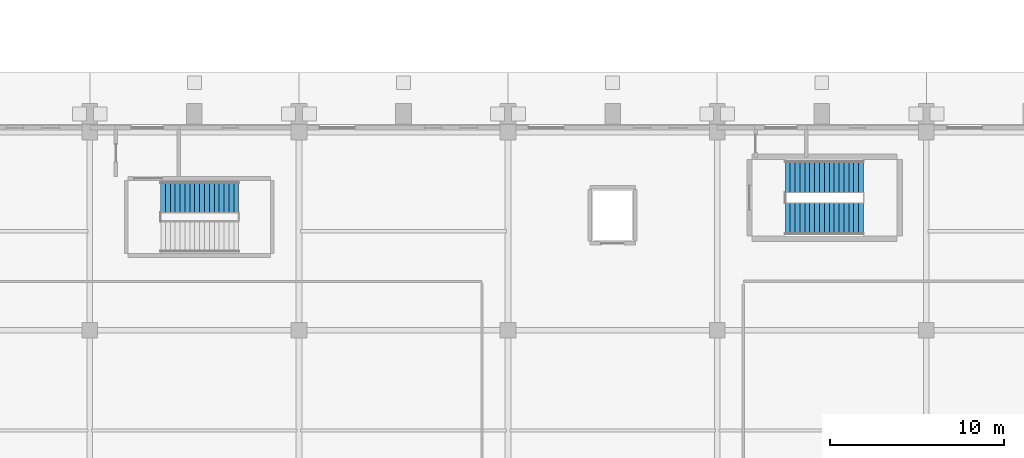
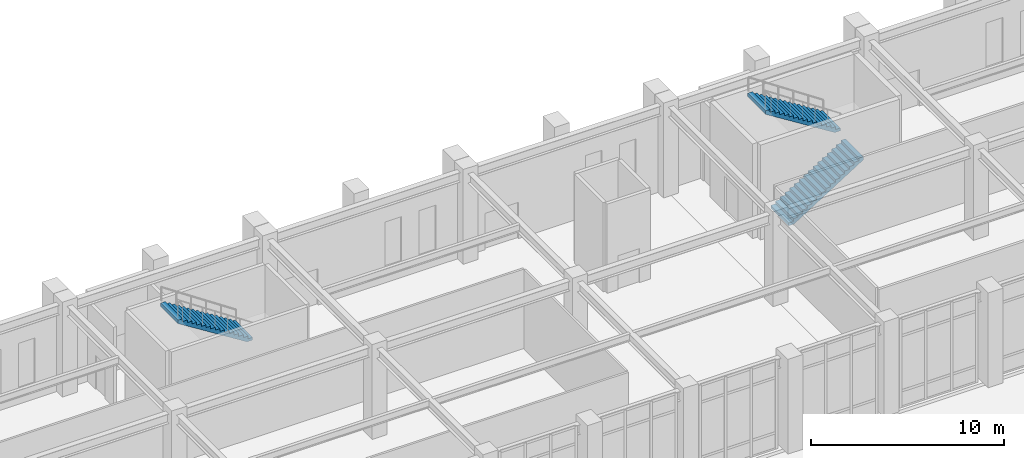
# One storey, part 125 of 143: 3 stair flights, 2 elements without a shape of their own.
"""IFC4 building model written with IfcOpenShell, lengths in metres."""

import ifcopenshell
import ifcopenshell.guid

model = None  # the IFC model being written
_history = None  # IfcOwnerHistory: only IFC2X3 demands one
_inside = {}  # id of a spatial element -> (the spatial element, [elements in it])
_under = {}  # id of a project, library or spatial element -> (it, [spatial elements below it])
_declared = {}  # id of a project -> (the project, [libraries it declares])
_typed = {}  # id of a type object -> (the type object, [elements of that type])
_made_of = {}  # id of a material, layer set ... -> (it, [elements and type objects made of it])


def new_model(schema):
    """Start an empty IFC model of exactly this schema.

    Asked for "IFC4X3", IfcOpenShell would pick the latest addendum, in which some entities
    have other attributes; the version numbers below select the first issue.
    IFC2X3 requires an IfcOwnerHistory on every rooted entity: one is made here for all.
    """
    global model, _history
    if schema == "IFC4X3":
        model = ifcopenshell.file(schema_version=(4, 3, 0, 0))
    else:
        model = ifcopenshell.file(schema=schema)
    _inside.clear()
    _under.clear()
    _declared.clear()
    _typed.clear()
    _made_of.clear()
    _history = None
    if model.schema == "IFC2X3":
        org = make("IfcOrganization", Name="unknown")
        user = make(
            "IfcPersonAndOrganization",
            ThePerson=make("IfcPerson", FamilyName="unknown"),
            TheOrganization=org,
        )
        app = make(
            "IfcApplication",
            ApplicationDeveloper=org,
            Version="unknown",
            ApplicationFullName="unknown",
            ApplicationIdentifier="unknown",
        )
        _history = make(
            "IfcOwnerHistory",
            OwningUser=user,
            OwningApplication=app,
            ChangeAction="ADDED",
            CreationDate=0,
        )
    return model


def make(cls, **values):
    """One entity of the class cls with the attributes given. An attribute that is None is left unset."""
    return model.create_entity(
        cls, **{name: value for name, value in values.items() if value is not None}
    )


def rooted(cls, **values):
    """An entity with a GlobalId (a new one), such as an element, a storey or a relation."""
    return make(cls, GlobalId=ifcopenshell.guid.new(), OwnerHistory=_history, **values)


def si_unit(unit_type, name, prefix=None):
    """IfcSIUnit, for example si_unit("LENGTHUNIT", "METRE", prefix="MILLI")."""
    return make("IfcSIUnit", UnitType=unit_type, Prefix=prefix, Name=name)


def derived_unit(unit_type, elements):
    """IfcDerivedUnit: a product of units, each with its exponent."""
    return make(
        "IfcDerivedUnit",
        Elements=[
            make("IfcDerivedUnitElement", Unit=unit, Exponent=power)
            for unit, power in elements
        ],
        UnitType=unit_type,
    )


def assignment(units):
    """IfcUnitAssignment: the units of a project."""
    return None if units is None else make("IfcUnitAssignment", Units=units)


def point(xyz):
    """IfcCartesianPoint."""
    return None if xyz is None else make("IfcCartesianPoint", Coordinates=xyz)


def direction(xyz):
    """IfcDirection."""
    return None if xyz is None else make("IfcDirection", DirectionRatios=xyz)


def frame(location, z_axis=None, x_axis=None):
    """IfcAxis2Placement3D, a coordinate frame: its origin and axes. An axis left out is left unset."""
    return make(
        "IfcAxis2Placement3D",
        Location=point(location),
        Axis=direction(z_axis),
        RefDirection=direction(x_axis),
    )


def origin():
    """The frame at (0, 0, 0) with its axes left unset."""
    return frame((0.0, 0.0, 0.0))


def place(relative_to, where):
    """IfcLocalPlacement: puts the frame where relative to a parent placement (None: the world)."""
    return make(
        "IfcLocalPlacement", PlacementRelTo=relative_to, RelativePlacement=where
    )


def context(
    kind, dimensions, precision=None, world=None, true_north=None, identifier=None
):
    """IfcGeometricRepresentationContext, for example the 3D "Model" context."""
    return make(
        "IfcGeometricRepresentationContext",
        ContextIdentifier=identifier,
        ContextType=kind,
        CoordinateSpaceDimension=dimensions,
        Precision=precision,
        WorldCoordinateSystem=world,
        TrueNorth=true_north,
    )


def subcontext(parent, identifier, kind, view, scale=None):
    """IfcGeometricRepresentationSubContext, for example "Body" below "Model"."""
    return make(
        "IfcGeometricRepresentationSubContext",
        ContextIdentifier=identifier,
        ContextType=kind,
        ParentContext=parent,
        TargetScale=scale,
        TargetView=view,
    )


def project(units=None, contexts=None):
    """IfcProject with its units and contexts."""
    return rooted(
        "IfcProject",
        Name="project",
        RepresentationContexts=contexts,
        UnitsInContext=assignment(units),
    )


def spatial(cls, under=None, at=None, **own):
    """A site, building, storey or space (cls), placed at a placement, below another one or the project."""
    s = rooted(cls, ObjectPlacement=at, **own)
    if under is not None:
        _under.setdefault(under.id(), (under, []))[1].append(s)
    return s


def polyline(points):
    """IfcPolyline through the points."""
    return make("IfcPolyline", Points=[point(p) for p in points])


def outline(outer, holes=None, kind="AREA"):
    """IfcArbitraryClosedProfileDef: a profile drawn as a closed curve; with holes, ...WithVoids."""
    if holes is None:
        return make("IfcArbitraryClosedProfileDef", ProfileType=kind, OuterCurve=outer)
    return make(
        "IfcArbitraryProfileDefWithVoids",
        ProfileType=kind,
        OuterCurve=outer,
        InnerCurves=holes,
    )


def extrude(swept, where, along, depth):
    """IfcExtrudedAreaSolid: the profile swept, set in the frame where, extruded along a direction by depth."""
    return make(
        "IfcExtrudedAreaSolid",
        SweptArea=swept,
        Position=where,
        ExtrudedDirection=direction(along),
        Depth=depth,
    )


def shape(context_of_items, identifier, shape_type, items):
    """IfcShapeRepresentation: the items that make up one representation, for example the "Body"."""
    return make(
        "IfcShapeRepresentation",
        ContextOfItems=context_of_items,
        RepresentationIdentifier=identifier,
        RepresentationType=shape_type,
        Items=items,
    )


def material(Name=None, Category=None):
    """IfcMaterial."""
    return make("IfcMaterial", Name=Name, Category=Category)


def made_of(thing, what):
    """Note that an element or type object is made of a material, layer set ...; save() writes the relation."""
    if what is not None:
        _made_of.setdefault(what.id(), (what, []))[1].append(thing)
    return thing


def type_object(cls, material=None, **own):
    """A type object (cls), such as IfcWallType, which elements share."""
    return made_of(rooted(cls, **own), material)


def element(
    cls,
    number,
    at=None,
    inside=None,
    cuts=None,
    type_object=None,
    material=None,
    context=None,
    identifier="Body",
    shape_type=None,
    held_by="IfcProductDefinitionShape",
    body=None,
    shapes=None,
    **own,
):
    """One element of the class cls, such as IfcWall. Its Tag is "e" and its number.

    at: its placement. inside: the storey or other place that contains it. cuts: it is an
    opening in that element (IfcRelVoidsElement). A single representation is given by context,
    identifier, shape_type and body (its items); several are given by shapes. held_by: the class
    of the entity that holds the representations. save() writes the other relations.
    """
    e = rooted(cls, Tag="e%d" % number, ObjectPlacement=at, **own)
    if body is not None:
        shapes = [shape(context, identifier, shape_type, body)]
    if shapes is not None:
        e.Representation = make(held_by, Representations=shapes)
    if inside is not None:
        _inside.setdefault(inside.id(), (inside, []))[1].append(e)
    if cuts is not None:
        rooted(
            "IfcRelVoidsElement", RelatingBuildingElement=cuts, RelatedOpeningElement=e
        )
    if type_object is not None:
        _typed.setdefault(type_object.id(), (type_object, []))[1].append(e)
    return made_of(e, material)


def aggregate(whole, parts):
    """IfcRelAggregates: a whole, such as a stair, and the parts it consists of."""
    return rooted("IfcRelAggregates", RelatingObject=whole, RelatedObjects=parts)


def save(model, path):
    """Write the relations noted so far, then the file.

    IfcRelAggregates (storeys below a building ...), IfcRelContainedInSpatialStructure (elements
    in a storey), IfcRelDefinesByType, IfcRelAssociatesMaterial and IfcRelDeclares: one each for
    every whole, place, type object, material and project.
    """
    for whole, parts in _under.values():
        aggregate(whole, parts)
    for where, things in _inside.values():
        rooted(
            "IfcRelContainedInSpatialStructure",
            RelatedElements=things,
            RelatingStructure=where,
        )
    for kind, things in _typed.values():
        rooted("IfcRelDefinesByType", RelatedObjects=things, RelatingType=kind)
    for what, things in _made_of.values():
        rooted("IfcRelAssociatesMaterial", RelatedObjects=things, RelatingMaterial=what)
    for by, libraries in _declared.values():
        rooted("IfcRelDeclares", RelatingContext=by, RelatedDefinitions=libraries)
    model.write(path)


model = new_model("IFC4")

# Units and contexts
model_context = context("Model", 3, precision=1e-05, world=origin(), true_north=direction((0.0, 1.0)))
body_context = subcontext(model_context, "Body", "Model", "MODEL_VIEW")
ifc_project = project(units=[si_unit("LENGTHUNIT", "METRE"), si_unit("AREAUNIT", "SQUARE_METRE"), si_unit("VOLUMEUNIT", "CUBIC_METRE"), si_unit("PLANEANGLEUNIT", "RADIAN"), si_unit("MASSUNIT", "GRAM", prefix="KILO"), derived_unit("THERMALTRANSMITTANCEUNIT", [(si_unit("MASSUNIT", "GRAM", prefix="KILO"), 1), (si_unit("TIMEUNIT", "SECOND"), -3), (si_unit("THERMODYNAMICTEMPERATUREUNIT", "KELVIN"), -1)])], contexts=[model_context])

# Site, building, storey
site_placement = place(None, origin())
site = spatial("IfcSite", under=ifc_project, at=site_placement, CompositionType="ELEMENT")
building_placement = place(site_placement, origin())
building = spatial("IfcBuilding", under=site, at=building_placement, Name="Valcora Ridge Arena", CompositionType="ELEMENT")
storey_placement = place(building_placement, origin())
storey = spatial("IfcBuildingStorey", under=building, at=storey_placement, Name="L00", CompositionType="ELEMENT", Elevation=0.0)

# Stair, stair flight
ifc_material = material(Name="Concrete C40/50", Category="concrete")
stair_type_1 = type_object("IfcStairType", Name="TY-STAIR-ES10-60", PredefinedType="HALF_TURN_STAIR", material=ifc_material)
stair_1_placement = place(storey_placement, origin())
stair_1 = element("IfcStair", 1, at=stair_1_placement, inside=storey, type_object=stair_type_1, Name="ES10-60 STR-ES-0033", PredefinedType="HALF_TURN_STAIR")
stair_flight_type_1 = type_object("IfcStairFlightType", Name="TY-FLIGHT-ES10-60", PredefinedType="STRAIGHT", material=ifc_material)
stair_flight_1_placement = place(storey_placement, frame((116.5400390625, 127.820068359375, 3.0), z_axis=(0.0, 0.0, 1.0), x_axis=(-1.0, 0.0, 0.0)))
stair_flight_1 = element("IfcStairFlight", 2, at=stair_flight_1_placement, type_object=stair_flight_type_1, Name="ES10-60 flight 2", NumberOfRisers=17, NumberOfTreads=16, PredefinedType="STRAIGHT", RiserHeight=0.176471, TreadLength=0.28, context=body_context, shape_type="SweptSolid", body=[
    extrude(outline(polyline([(0.0, 0.0), (0.0, 0.176513671875), (0.280029296875, 0.176513671875), (0.280029296875, 0.35302734375), (0.56005859375, 0.35302734375), (0.56005859375, 0.529296875), (0.840087890625, 0.529296875), (0.840087890625, 0.705810546875), (1.1201171875, 0.705810546875), (1.1201171875, 0.88232421875), (1.39990234375, 0.88232421875), (1.39990234375, 1.058837890625), (1.679931640625, 1.058837890625), (1.679931640625, 1.2353515625), (1.9599609375, 1.2353515625), (1.9599609375, 1.411865234375), (2.239990234375, 1.411865234375), (2.239990234375, 1.588134765625), (2.52001953125, 1.588134765625), (2.52001953125, 1.7646484375), (2.800048828125, 1.7646484375), (2.800048828125, 1.941162109375), (3.080078125, 1.941162109375), (3.080078125, 2.11767578125), (3.360107421875, 2.11767578125), (3.360107421875, 2.294189453125), (3.639892578125, 2.294189453125), (3.639892578125, 2.470703125), (3.919921875, 2.470703125), (3.919921875, 2.64697265625), (4.199951171875, 2.64697265625), (4.199951171875, 2.823486328125), (4.47998046875, 2.823486328125), (4.47998046875, 3.0), (4.47998046875, 2.61083984375), (0.33740234375, 0.0), (0.0, 0.0)])), frame((0.0, 0.89990234375, 0.0), z_axis=(0.0, -1.0, 0.0), x_axis=(1.0, 0.0, 0.0)), (0.0, 0.0, 1.0), 1.800048828125),
])
aggregate(stair_1, [stair_flight_1])

# Stair, stair flights
stair_type_2 = type_object("IfcStairType", Name="TY-STAIR-ST10-60", PredefinedType="HALF_TURN_STAIR", material=ifc_material)
stair_2_placement = place(storey_placement, origin())
stair_2 = element("IfcStair", 3, at=stair_2_placement, inside=storey, type_object=stair_type_2, Name="ST10-60 STR-CR-0042", PredefinedType="HALF_TURN_STAIR")
stair_flight_type_2 = type_object("IfcStairFlightType", Name="TY-FLIGHT-ST10-60", PredefinedType="STRAIGHT", material=ifc_material)
stair_flight_2_placement = place(storey_placement, frame((147.909912109375, 126.60498046875, 0.0), z_axis=(0.0, 0.0, 1.0), x_axis=(1.0, 0.0, 0.0)))
stair_flight_2 = element("IfcStairFlight", 4, at=stair_flight_2_placement, type_object=stair_flight_type_2, Name="ST10-60 flight 1", NumberOfRisers=17, NumberOfTreads=16, PredefinedType="STRAIGHT", RiserHeight=0.176471, TreadLength=0.28, context=body_context, shape_type="SweptSolid", body=[
    extrude(outline(polyline([(0.0, 0.0), (0.0, 0.176513671875), (0.280029296875, 0.176513671875), (0.280029296875, 0.35302734375), (0.56005859375, 0.35302734375), (0.56005859375, 0.529296875), (0.840087890625, 0.529296875), (0.840087890625, 0.705810546875), (1.1201171875, 0.705810546875), (1.1201171875, 0.88232421875), (1.39990234375, 0.88232421875), (1.39990234375, 1.058837890625), (1.679931640625, 1.058837890625), (1.679931640625, 1.2353515625), (1.9599609375, 1.2353515625), (1.9599609375, 1.411865234375), (2.239990234375, 1.411865234375), (2.239990234375, 1.588134765625), (2.52001953125, 1.588134765625), (2.52001953125, 1.7646484375), (2.800048828125, 1.7646484375), (2.800048828125, 1.941162109375), (3.080078125, 1.941162109375), (3.080078125, 2.11767578125), (3.360107421875, 2.11767578125), (3.360107421875, 2.294189453125), (3.639892578125, 2.294189453125), (3.639892578125, 2.470703125), (3.919921875, 2.470703125), (3.919921875, 2.64697265625), (4.199951171875, 2.64697265625), (4.199951171875, 2.823486328125), (4.47998046875, 2.823486328125), (4.47998046875, 3.0), (4.47998046875, 2.61083984375), (0.33740234375, 0.0), (0.0, 0.0)])), frame((0.0, 0.925048828125, 0.0), z_axis=(0.0, -1.0, 0.0), x_axis=(1.0, 0.0, 0.0)), (0.0, 0.0, 1.0), 1.85009765625),
])
stair_flight_3_placement = place(storey_placement, frame((152.389892578125, 128.9951171875, 3.0), z_axis=(0.0, 0.0, 1.0), x_axis=(-1.0, 0.0, 0.0)))
stair_flight_3 = element("IfcStairFlight", 5, at=stair_flight_3_placement, type_object=stair_flight_type_2, Name="ST10-60 flight 2", NumberOfRisers=17, NumberOfTreads=16, PredefinedType="STRAIGHT", RiserHeight=0.176471, TreadLength=0.28, context=body_context, shape_type="SweptSolid", body=[
    extrude(outline(polyline([(0.0, 0.0), (0.0, 0.176513671875), (0.280029296875, 0.176513671875), (0.280029296875, 0.35302734375), (0.56005859375, 0.35302734375), (0.56005859375, 0.529296875), (0.840087890625, 0.529296875), (0.840087890625, 0.705810546875), (1.1201171875, 0.705810546875), (1.1201171875, 0.88232421875), (1.39990234375, 0.88232421875), (1.39990234375, 1.058837890625), (1.679931640625, 1.058837890625), (1.679931640625, 1.2353515625), (1.9599609375, 1.2353515625), (1.9599609375, 1.411865234375), (2.239990234375, 1.411865234375), (2.239990234375, 1.588134765625), (2.52001953125, 1.588134765625), (2.52001953125, 1.7646484375), (2.800048828125, 1.7646484375), (2.800048828125, 1.941162109375), (3.080078125, 1.941162109375), (3.080078125, 2.11767578125), (3.360107421875, 2.11767578125), (3.360107421875, 2.294189453125), (3.639892578125, 2.294189453125), (3.639892578125, 2.470703125), (3.919921875, 2.470703125), (3.919921875, 2.64697265625), (4.199951171875, 2.64697265625), (4.199951171875, 2.823486328125), (4.47998046875, 2.823486328125), (4.47998046875, 3.0), (4.47998046875, 2.61083984375), (0.33740234375, 0.0), (0.0, 0.0)])), frame((0.0, 0.925048828125, 0.0), z_axis=(0.0, -1.0, 0.0), x_axis=(1.0, 0.0, 0.0)), (0.0, 0.0, 1.0), 1.85009765625),
])
aggregate(stair_2, [stair_flight_2, stair_flight_3])

save(model, "model.ifc")
